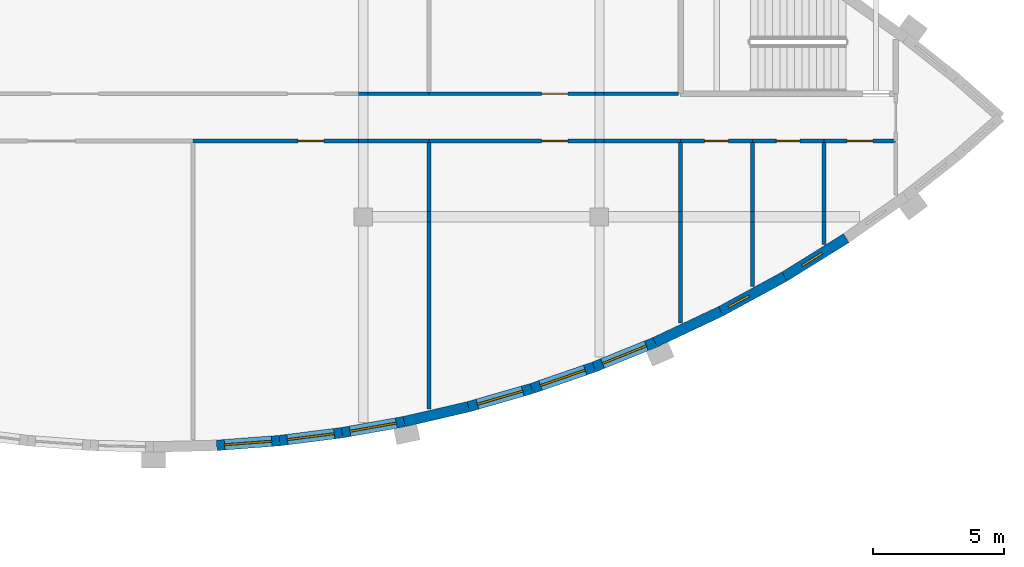
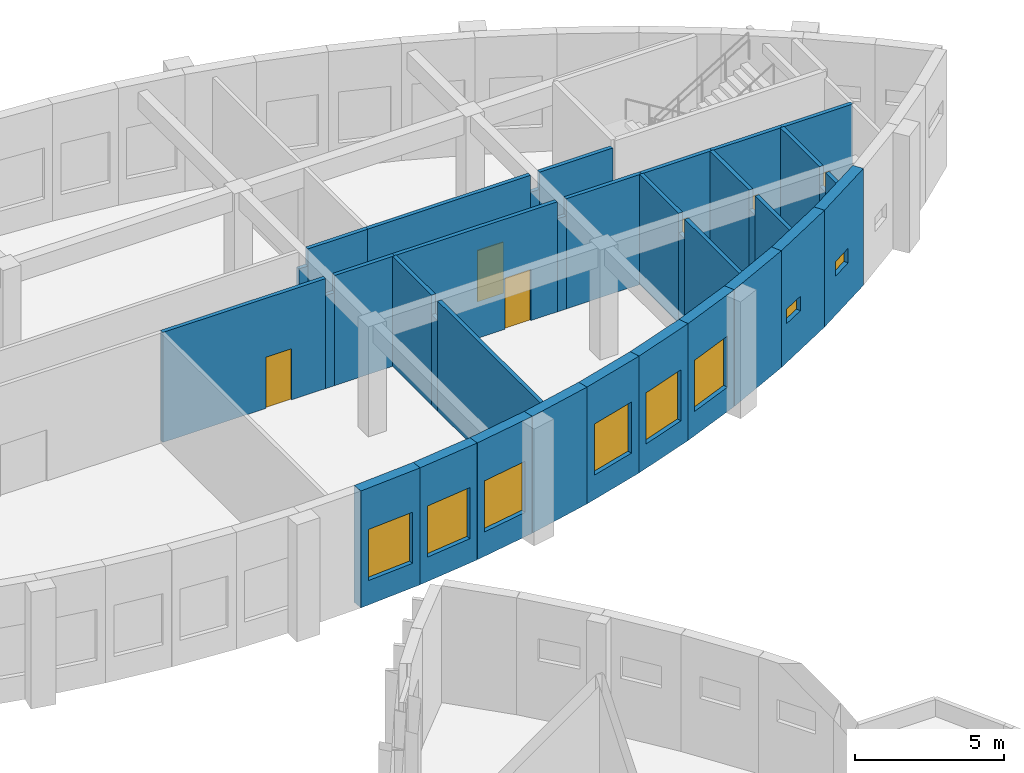
# One storey, part 75 of 93: 36 walls, 8 windows, 6 doors, 14 openings.
"""IFC4 building model written with IfcOpenShell, lengths in metres."""

from ifc_helpers import new_model, si_unit, direction, frame, frame_2d, origin, place, context, subcontext, project, spatial, rectangle, extrude, material, layer, layer_set, type_object, element, fill, save


model = new_model("IFC4")

# Units and contexts
model_context = context("Model", 3, precision=1e-05, world=origin(), true_north=direction((0.0, 1.0)))
body_context = subcontext(model_context, "Body", "Model", "MODEL_VIEW")
ifc_project = project(units=[si_unit("LENGTHUNIT", "METRE"), si_unit("AREAUNIT", "SQUARE_METRE"), si_unit("VOLUMEUNIT", "CUBIC_METRE"), si_unit("PLANEANGLEUNIT", "RADIAN"), si_unit("MASSUNIT", "GRAM", prefix="KILO")], contexts=[model_context])

# Site, building, storey
site_placement = place(None, origin())
site = spatial("IfcSite", under=ifc_project, at=site_placement, CompositionType="ELEMENT")
building_placement = place(site_placement, origin())
building = spatial("IfcBuilding", under=site, at=building_placement, Name="Tide Square Theatres", CompositionType="ELEMENT")
storey_placement = place(building_placement, frame((0.0, 0.0, 5.39990234375)))
storey = spatial("IfcBuildingStorey", under=building, at=storey_placement, Name="L01", CompositionType="ELEMENT", Elevation=5.39990234375)

# Walls
ifc_material_1 = material(Name="Gypsum board on steel studs", Category="steel")
ifc_layer_1 = layer(ifc_material_1, 0.14990234375)
ifc_layer_set_1 = layer_set([ifc_layer_1], Name="Gypsum board on steel studs")
wall_type_1 = type_object("IfcWallType", Name="Partition 150 thick", PredefinedType="PARTITIONING", material=ifc_layer_set_1)
wall_1_placement = place(storey_placement, frame((137.824951171875, 98.699951171875, 0.0), z_axis=(0.0, 0.0, 1.0), x_axis=(1.0, 0.0, 0.0)))
element("IfcWall", 1, at=wall_1_placement, inside=storey, type_object=wall_type_1, Name="Rehearsal Block partition", PredefinedType="PARTITIONING", context=body_context, shape_type="SweptSolid", body=[
    extrude(rectangle(XDim=0.35009765625, YDim=0.14990234375, at=frame_2d((0.175048828125, 0.0))), origin(), (0.0, 0.0, 1.0), 3.820068359375),
])
for number, where, z_axis, x_axis, name in (
    (2, (138.175048828125, 98.699951171875, 0.0), (0.0, 0.0, 1.0), (1.0, 0.0, 0.0), "Rehearsal Block partition"),
    (3, (140.5, 96.89990234375, 0.0), (0.0, 0.0, 1.0), (-1.0, 0.0, 0.0), "Rehearsal Block partition"),
):
    element("IfcWall", number, at=place(storey_placement, frame(where, z_axis=z_axis, x_axis=x_axis)), inside=storey, type_object=wall_type_1, Name=name, PredefinedType="PARTITIONING", context=body_context, shape_type="SweptSolid", body=[
        extrude(rectangle(XDim=2.324951171875, YDim=0.14990234375, at=frame_2d((1.16259765625, 0.0))), origin(), (0.0, 0.0, 1.0), 4.52001953125),
    ])
wall_2_placement = place(storey_placement, frame((138.175048828125, 96.89990234375, 0.0), z_axis=(0.0, 0.0, 1.0), x_axis=(-1.0, 0.0, 0.0)))
element("IfcWall", 4, at=wall_2_placement, inside=storey, type_object=wall_type_1, Name="Rehearsal Block partition", PredefinedType="PARTITIONING", context=body_context, shape_type="SweptSolid", body=[
    extrude(rectangle(XDim=0.35009765625, YDim=0.14990234375, at=frame_2d((0.175048828125, 0.0))), origin(), (0.0, 0.0, 1.0), 3.820068359375),
])

# Wall, opening, door
wall_3_placement = place(storey_placement, frame((137.824951171875, 96.89990234375, 0.0), z_axis=(0.0, 0.0, 1.0), x_axis=(-1.0, 0.0, 0.0)))
wall_3 = element("IfcWall", 5, at=wall_3_placement, inside=storey, type_object=wall_type_1, Name="Rehearsal Block partition", PredefinedType="PARTITIONING", context=body_context, shape_type="SweptSolid", body=[
    extrude(rectangle(XDim=6.324951171875, YDim=0.14990234375, at=frame_2d((3.16259765625, 0.0))), origin(), (0.0, 0.0, 1.0), 4.52001953125),
])
opening_1_placement = place(wall_3_placement, frame((1.324951171875, 0.0, 0.0)))
opening_1 = element("IfcOpeningElement", 6, at=opening_1_placement, cuts=wall_3, Name="Opening R1-11", PredefinedType="OPENING", context=body_context, shape_type="SweptSolid", body=[
    extrude(rectangle(XDim=1.0, YDim=2.10009765625, at=frame_2d((0.5, 1.050048828125))), frame((0.0, 0.0849609375, 0.0), z_axis=(0.0, -1.0, 0.0), x_axis=(1.0, 0.0, 0.0)), (0.0, 0.0, 1.0), 0.169921875),
])
ifc_material_2 = material(Name="Hardwood timber", Category="wood")
door_type_1 = type_object("IfcDoorType", Name="Door 1000 x 2100 single leaf", OperationType="NOTDEFINED", PredefinedType="DOOR", material=ifc_material_2)
door_1_placement = place(opening_1_placement, origin())
door_1 = element("IfcDoor", 7, at=door_1_placement, inside=storey, type_object=door_type_1, Name="Rehearsal Block door R1-11 to Music Room 01", OperationType="SINGLE_SWING_RIGHT", OverallHeight=2.10009765625, OverallWidth=1.0, PredefinedType="DOOR", context=body_context, shape_type="SweptSolid", body=[
    extrude(rectangle(XDim=1.0, YDim=2.10009765625, at=frame_2d((0.5, 1.050048828125))), frame((0.0, 0.02490234375, 0.0), z_axis=(0.0, -1.0, 0.0), x_axis=(1.0, 0.0, 0.0)), (0.0, 0.0, 1.0), 0.050048828125),
])
fill(opening_1, door_1)

# Walls
wall_4_placement = place(storey_placement, frame((140.5, 96.840087890625, 0.0), z_axis=(0.0, 0.0, 1.0), x_axis=(0.0, -1.0, 0.0)))
element("IfcWall", 8, at=wall_4_placement, inside=storey, type_object=wall_type_1, Name="Rehearsal Block partition", PredefinedType="PARTITIONING", context=body_context, shape_type="SweptSolid", body=[
    extrude(rectangle(XDim=2.64013671875, YDim=0.14990234375, at=frame_2d((1.320068359375, 0.0))), origin(), (0.0, 0.0, 1.0), 4.52001953125),
])
wall_5_placement = place(storey_placement, frame((140.5, 94.199951171875, 0.0), z_axis=(0.0, 0.0, 1.0), x_axis=(0.0, -1.0, 0.0)))
element("IfcWall", 9, at=wall_5_placement, inside=storey, type_object=wall_type_1, Name="Rehearsal Block partition", PredefinedType="PARTITIONING", context=body_context, shape_type="SweptSolid", body=[
    extrude(rectangle(XDim=0.39990234375, YDim=0.14990234375, at=frame_2d((0.199951171875, 0.0))), origin(), (0.0, 0.0, 1.0), 3.72021484375),
])
wall_6_placement = place(storey_placement, frame((140.5, 93.800048828125, 0.0), z_axis=(0.0, 0.0, 1.0), x_axis=(0.0, -1.0, 0.0)))
element("IfcWall", 10, at=wall_6_placement, inside=storey, type_object=wall_type_1, Name="Rehearsal Block partition", PredefinedType="PARTITIONING", context=body_context, shape_type="SweptSolid", body=[
    extrude(rectangle(XDim=7.128662109375, YDim=0.14990234375, at=frame_2d((3.564453125, 0.0))), origin(), (0.0, 0.0, 1.0), 4.52001953125),
])
wall_7_placement = place(storey_placement, frame((150.10009765625, 96.89990234375, 0.0), z_axis=(0.0, 0.0, 1.0), x_axis=(-1.0, 0.0, 0.0)))
element("IfcWall", 11, at=wall_7_placement, inside=storey, type_object=wall_type_1, Name="Rehearsal Block partition", PredefinedType="PARTITIONING", context=body_context, shape_type="SweptSolid", body=[
    extrude(rectangle(XDim=2.925048828125, YDim=0.14990234375, at=frame_2d((1.46240234375, 0.0))), origin(), (0.0, 0.0, 1.0), 4.52001953125),
])
wall_8_placement = place(storey_placement, frame((147.175048828125, 96.89990234375, 0.0), z_axis=(0.0, 0.0, 1.0), x_axis=(-1.0, 0.0, 0.0)))
element("IfcWall", 12, at=wall_8_placement, inside=storey, type_object=wall_type_1, Name="Rehearsal Block partition", PredefinedType="PARTITIONING", context=body_context, shape_type="SweptSolid", body=[
    extrude(rectangle(XDim=0.35009765625, YDim=0.14990234375, at=frame_2d((0.175048828125, 0.0))), origin(), (0.0, 0.0, 1.0), 3.820068359375),
])

# Wall, opening, door
wall_9_placement = place(storey_placement, frame((146.824951171875, 96.89990234375, 0.0), z_axis=(0.0, 0.0, 1.0), x_axis=(-1.0, 0.0, 0.0)))
wall_9 = element("IfcWall", 13, at=wall_9_placement, inside=storey, type_object=wall_type_1, Name="Rehearsal Block partition", PredefinedType="PARTITIONING", context=body_context, shape_type="SweptSolid", body=[
    extrude(rectangle(XDim=6.324951171875, YDim=0.14990234375, at=frame_2d((3.16259765625, 0.0))), origin(), (0.0, 0.0, 1.0), 4.52001953125),
])
opening_2_placement = place(wall_9_placement, frame((1.02490234375, 0.0, 0.0)))
opening_2 = element("IfcOpeningElement", 14, at=opening_2_placement, cuts=wall_9, Name="Opening R1-12", PredefinedType="OPENING", context=body_context, shape_type="SweptSolid", body=[
    extrude(rectangle(XDim=1.0, YDim=2.10009765625, at=frame_2d((0.5, 1.050048828125))), frame((0.0, 0.0849609375, 0.0), z_axis=(0.0, -1.0, 0.0), x_axis=(1.0, 0.0, 0.0)), (0.0, 0.0, 1.0), 0.169921875),
])
door_2_placement = place(opening_2_placement, origin())
door_2 = element("IfcDoor", 15, at=door_2_placement, inside=storey, type_object=door_type_1, Name="Rehearsal Block door R1-12 to Music Room 02", OperationType="SINGLE_SWING_RIGHT", OverallHeight=2.10009765625, OverallWidth=1.0, PredefinedType="DOOR", context=body_context, shape_type="SweptSolid", body=[
    extrude(rectangle(XDim=1.0, YDim=2.10009765625, at=frame_2d((0.5, 1.050048828125))), frame((0.0, 0.02490234375, 0.0), z_axis=(0.0, -1.0, 0.0), x_axis=(1.0, 0.0, 0.0)), (0.0, 0.0, 1.0), 0.050048828125),
])
fill(opening_2, door_2)

wall_10_placement = place(storey_placement, frame((140.5, 98.699951171875, 0.0), z_axis=(0.0, 0.0, 1.0), x_axis=(1.0, 0.0, 0.0)))
wall_10 = element("IfcWall", 16, at=wall_10_placement, inside=storey, type_object=wall_type_1, Name="Rehearsal Block partition", PredefinedType="PARTITIONING", context=body_context, shape_type="SweptSolid", body=[
    extrude(rectangle(XDim=6.324951171875, YDim=0.14990234375, at=frame_2d((3.16259765625, 0.0))), origin(), (0.0, 0.0, 1.0), 4.52001953125),
])
opening_3_placement = place(wall_10_placement, frame((4.300048828125, 0.0, 0.0)))
opening_3 = element("IfcOpeningElement", 17, at=opening_3_placement, cuts=wall_10, Name="Opening R1-16", PredefinedType="OPENING", context=body_context, shape_type="SweptSolid", body=[
    extrude(rectangle(XDim=1.0, YDim=2.10009765625, at=frame_2d((0.5, 1.050048828125))), frame((0.0, 0.0849609375, 0.0), z_axis=(0.0, -1.0, 0.0), x_axis=(1.0, 0.0, 0.0)), (0.0, 0.0, 1.0), 0.169921875),
])
door_3_placement = place(opening_3_placement, origin())
door_3 = element("IfcDoor", 18, at=door_3_placement, inside=storey, type_object=door_type_1, Name="Rehearsal Block door R1-16 to Rehearsal Room 03", OperationType="SINGLE_SWING_RIGHT", OverallHeight=2.10009765625, OverallWidth=1.0, PredefinedType="DOOR", context=body_context, shape_type="SweptSolid", body=[
    extrude(rectangle(XDim=1.0, YDim=2.10009765625, at=frame_2d((0.5, 1.050048828125))), frame((0.0, 0.02490234375, 0.0), z_axis=(0.0, -1.0, 0.0), x_axis=(1.0, 0.0, 0.0)), (0.0, 0.0, 1.0), 0.050048828125),
])
fill(opening_3, door_3)

# Walls
wall_11_placement = place(storey_placement, frame((146.824951171875, 98.699951171875, 0.0), z_axis=(0.0, 0.0, 1.0), x_axis=(1.0, 0.0, 0.0)))
element("IfcWall", 19, at=wall_11_placement, inside=storey, type_object=wall_type_1, Name="Rehearsal Block partition", PredefinedType="PARTITIONING", context=body_context, shape_type="SweptSolid", body=[
    extrude(rectangle(XDim=0.35009765625, YDim=0.14990234375, at=frame_2d((0.175048828125, 0.0))), origin(), (0.0, 0.0, 1.0), 3.820068359375),
])
wall_12_placement = place(storey_placement, frame((147.175048828125, 98.699951171875, 0.0), z_axis=(0.0, 0.0, 1.0), x_axis=(1.0, 0.0, 0.0)))
element("IfcWall", 20, at=wall_12_placement, inside=storey, type_object=wall_type_1, Name="Rehearsal Block partition", PredefinedType="PARTITIONING", context=body_context, shape_type="SweptSolid", body=[
    extrude(rectangle(XDim=2.844970703125, YDim=0.14990234375, at=frame_2d((1.42236328125, 0.0))), origin(), (0.0, 0.0, 1.0), 4.52001953125),
])
wall_13_placement = place(storey_placement, frame((150.10009765625, 89.960205078125, 0.0), z_axis=(0.0, 0.0, 1.0), x_axis=(0.0, 1.0, 0.0)))
element("IfcWall", 21, at=wall_13_placement, inside=storey, type_object=wall_type_1, Name="Rehearsal Block partition", PredefinedType="PARTITIONING", context=body_context, shape_type="SweptSolid", body=[
    extrude(rectangle(XDim=3.83984375, YDim=0.14990234375, at=frame_2d((1.919921875, 0.0))), origin(), (0.0, 0.0, 1.0), 4.52001953125),
])
wall_14_placement = place(storey_placement, frame((150.10009765625, 93.800048828125, 0.0), z_axis=(0.0, 0.0, 1.0), x_axis=(0.0, 1.0, 0.0)))
element("IfcWall", 22, at=wall_14_placement, inside=storey, type_object=wall_type_1, Name="Rehearsal Block partition", PredefinedType="PARTITIONING", context=body_context, shape_type="SweptSolid", body=[
    extrude(rectangle(XDim=0.39990234375, YDim=0.14990234375, at=frame_2d((0.199951171875, 0.0))), origin(), (0.0, 0.0, 1.0), 3.72021484375),
])
wall_15_placement = place(storey_placement, frame((150.10009765625, 94.199951171875, 0.0), z_axis=(0.0, 0.0, 1.0), x_axis=(0.0, 1.0, 0.0)))
element("IfcWall", 23, at=wall_15_placement, inside=storey, type_object=wall_type_1, Name="Rehearsal Block partition", PredefinedType="PARTITIONING", context=body_context, shape_type="SweptSolid", body=[
    extrude(rectangle(XDim=2.64013671875, YDim=0.14990234375, at=frame_2d((1.320068359375, 0.0))), origin(), (0.0, 0.0, 1.0), 4.52001953125),
])

# Wall, opening, door
wall_16_placement = place(storey_placement, frame((152.833251953125, 96.89990234375, 0.0), z_axis=(0.0, 0.0, 1.0), x_axis=(-1.0, 0.0, 0.0)))
wall_16 = element("IfcWall", 24, at=wall_16_placement, inside=storey, type_object=wall_type_1, Name="Rehearsal Block partition", PredefinedType="PARTITIONING", context=body_context, shape_type="SweptSolid", body=[
    extrude(rectangle(XDim=2.733154296875, YDim=0.14990234375, at=frame_2d((1.36669921875, 0.0))), origin(), (0.0, 0.0, 1.0), 4.52001953125),
])
opening_4_placement = place(wall_16_placement, frame((0.916748046875, 0.0, 0.0)))
opening_4 = element("IfcOpeningElement", 25, at=opening_4_placement, cuts=wall_16, Name="Opening R1-04", PredefinedType="OPENING", context=body_context, shape_type="SweptSolid", body=[
    extrude(rectangle(XDim=0.89990234375, YDim=2.10009765625, at=frame_2d((0.449951171875, 1.050048828125))), frame((0.0, 0.0849609375, 0.0), z_axis=(0.0, -1.0, 0.0), x_axis=(1.0, 0.0, 0.0)), (0.0, 0.0, 1.0), 0.169921875),
])
ifc_material_3 = material(Name="Hardwood timber", Category="wood")
door_type_2 = type_object("IfcDoorType", Name="Door 900 x 2100 single leaf", OperationType="NOTDEFINED", PredefinedType="DOOR", material=ifc_material_3)
door_4_placement = place(opening_4_placement, origin())
door_4 = element("IfcDoor", 26, at=door_4_placement, inside=storey, type_object=door_type_2, Name="Rehearsal Block door R1-04 to Gents WC E", OperationType="SINGLE_SWING_RIGHT", OverallHeight=2.10009765625, OverallWidth=0.89990234375, PredefinedType="DOOR", context=body_context, shape_type="SweptSolid", body=[
    extrude(rectangle(XDim=0.89990234375, YDim=2.10009765625, at=frame_2d((0.449951171875, 1.050048828125))), frame((0.0, 0.02490234375, 0.0), z_axis=(0.0, -1.0, 0.0), x_axis=(1.0, 0.0, 0.0)), (0.0, 0.0, 1.0), 0.050048828125),
])
fill(opening_4, door_4)

# Walls
wall_17_placement = place(storey_placement, frame((152.833251953125, 96.840087890625, 0.0), z_axis=(0.0, 0.0, 1.0), x_axis=(0.0, -1.0, 0.0)))
element("IfcWall", 27, at=wall_17_placement, inside=storey, type_object=wall_type_1, Name="Rehearsal Block partition", PredefinedType="PARTITIONING", context=body_context, shape_type="SweptSolid", body=[
    extrude(rectangle(XDim=2.64013671875, YDim=0.14990234375, at=frame_2d((1.320068359375, 0.0))), origin(), (0.0, 0.0, 1.0), 4.52001953125),
])
wall_18_placement = place(storey_placement, frame((152.833251953125, 94.199951171875, 0.0), z_axis=(0.0, 0.0, 1.0), x_axis=(0.0, -1.0, 0.0)))
element("IfcWall", 28, at=wall_18_placement, inside=storey, type_object=wall_type_1, Name="Rehearsal Block partition", PredefinedType="PARTITIONING", context=body_context, shape_type="SweptSolid", body=[
    extrude(rectangle(XDim=0.39990234375, YDim=0.14990234375, at=frame_2d((0.199951171875, 0.0))), origin(), (0.0, 0.0, 1.0), 3.72021484375),
])
wall_19_placement = place(storey_placement, frame((152.833251953125, 93.800048828125, 0.0), z_axis=(0.0, 0.0, 1.0), x_axis=(0.0, -1.0, 0.0)))
element("IfcWall", 29, at=wall_19_placement, inside=storey, type_object=wall_type_1, Name="Rehearsal Block partition", PredefinedType="PARTITIONING", context=body_context, shape_type="SweptSolid", body=[
    extrude(rectangle(XDim=2.455078125, YDim=0.14990234375, at=frame_2d((1.2275390625, 0.0))), origin(), (0.0, 0.0, 1.0), 4.52001953125),
])

# Wall, opening, door
wall_20_placement = place(storey_placement, frame((155.566650390625, 96.89990234375, 0.0), z_axis=(0.0, 0.0, 1.0), x_axis=(-1.0, 0.0, 0.0)))
wall_20 = element("IfcWall", 30, at=wall_20_placement, inside=storey, type_object=wall_type_1, Name="Rehearsal Block partition", PredefinedType="PARTITIONING", context=body_context, shape_type="SweptSolid", body=[
    extrude(rectangle(XDim=2.7333984375, YDim=0.14990234375, at=frame_2d((1.36669921875, 0.0))), origin(), (0.0, 0.0, 1.0), 4.52001953125),
])
opening_5_placement = place(wall_20_placement, frame((0.916748046875, 0.0, 0.0)))
opening_5 = element("IfcOpeningElement", 31, at=opening_5_placement, cuts=wall_20, Name="Opening R1-05", PredefinedType="OPENING", context=body_context, shape_type="SweptSolid", body=[
    extrude(rectangle(XDim=0.89990234375, YDim=2.10009765625, at=frame_2d((0.449951171875, 1.050048828125))), frame((0.0, 0.0849609375, 0.0), z_axis=(0.0, -1.0, 0.0), x_axis=(1.0, 0.0, 0.0)), (0.0, 0.0, 1.0), 0.169921875),
])
door_5_placement = place(opening_5_placement, origin())
door_5 = element("IfcDoor", 32, at=door_5_placement, inside=storey, type_object=door_type_2, Name="Rehearsal Block door R1-05 to Ladies WC E", OperationType="SINGLE_SWING_RIGHT", OverallHeight=2.10009765625, OverallWidth=0.89990234375, PredefinedType="DOOR", context=body_context, shape_type="SweptSolid", body=[
    extrude(rectangle(XDim=0.89990234375, YDim=2.10009765625, at=frame_2d((0.449951171875, 1.050048828125))), frame((0.0, 0.02490234375, 0.0), z_axis=(0.0, -1.0, 0.0), x_axis=(1.0, 0.0, 0.0)), (0.0, 0.0, 1.0), 0.050048828125),
])
fill(opening_5, door_5)

# Walls
wall_21_placement = place(storey_placement, frame((155.566650390625, 96.840087890625, 0.0), z_axis=(0.0, 0.0, 1.0), x_axis=(0.0, -1.0, 0.0)))
element("IfcWall", 33, at=wall_21_placement, inside=storey, type_object=wall_type_1, Name="Rehearsal Block partition", PredefinedType="PARTITIONING", context=body_context, shape_type="SweptSolid", body=[
    extrude(rectangle(XDim=2.64013671875, YDim=0.14990234375, at=frame_2d((1.320068359375, 0.0))), origin(), (0.0, 0.0, 1.0), 4.52001953125),
])
wall_22_placement = place(storey_placement, frame((155.566650390625, 94.199951171875, 0.0), z_axis=(0.0, 0.0, 1.0), x_axis=(0.0, -1.0, 0.0)))
element("IfcWall", 34, at=wall_22_placement, inside=storey, type_object=wall_type_1, Name="Rehearsal Block partition", PredefinedType="PARTITIONING", context=body_context, shape_type="SweptSolid", body=[
    extrude(rectangle(XDim=0.39990234375, YDim=0.14990234375, at=frame_2d((0.199951171875, 0.0))), origin(), (0.0, 0.0, 1.0), 3.72021484375),
])
wall_23_placement = place(storey_placement, frame((155.566650390625, 93.800048828125, 0.0), z_axis=(0.0, 0.0, 1.0), x_axis=(0.0, -1.0, 0.0)))
element("IfcWall", 35, at=wall_23_placement, inside=storey, type_object=wall_type_1, Name="Rehearsal Block partition", PredefinedType="PARTITIONING", context=body_context, shape_type="SweptSolid", body=[
    extrude(rectangle(XDim=0.84033203125, YDim=0.14990234375, at=frame_2d((0.420166015625, 0.0))), origin(), (0.0, 0.0, 1.0), 4.52001953125),
])

# Wall, opening, door
wall_24_placement = place(storey_placement, frame((158.300048828125, 96.89990234375, 0.0), z_axis=(0.0, 0.0, 1.0), x_axis=(-1.0, 0.0, 0.0)))
wall_24 = element("IfcWall", 36, at=wall_24_placement, inside=storey, type_object=wall_type_1, Name="Rehearsal Block partition", PredefinedType="PARTITIONING", context=body_context, shape_type="SweptSolid", body=[
    extrude(rectangle(XDim=2.7333984375, YDim=0.14990234375, at=frame_2d((1.36669921875, 0.0))), origin(), (0.0, 0.0, 1.0), 4.52001953125),
])
opening_6_placement = place(wall_24_placement, frame((0.86669921875, 0.0, 0.0)))
opening_6 = element("IfcOpeningElement", 37, at=opening_6_placement, cuts=wall_24, Name="Opening R1-06", PredefinedType="OPENING", context=body_context, shape_type="SweptSolid", body=[
    extrude(rectangle(XDim=1.0, YDim=2.10009765625, at=frame_2d((0.5, 1.050048828125))), frame((0.0, 0.0849609375, 0.0), z_axis=(0.0, -1.0, 0.0), x_axis=(1.0, 0.0, 0.0)), (0.0, 0.0, 1.0), 0.169921875),
])
door_6_placement = place(opening_6_placement, origin())
door_6 = element("IfcDoor", 38, at=door_6_placement, inside=storey, type_object=door_type_1, Name="Rehearsal Block door R1-06 to Accessible WC E", OperationType="SINGLE_SWING_RIGHT", OverallHeight=2.10009765625, OverallWidth=1.0, PredefinedType="DOOR", context=body_context, shape_type="SweptSolid", body=[
    extrude(rectangle(XDim=1.0, YDim=2.10009765625, at=frame_2d((0.5, 1.050048828125))), frame((0.0, 0.02490234375, 0.0), z_axis=(0.0, -1.0, 0.0), x_axis=(1.0, 0.0, 0.0)), (0.0, 0.0, 1.0), 0.050048828125),
])
fill(opening_6, door_6)

# Wall, opening, window
ifc_material_4 = material(Name="Concrete C40", Category="concrete")
ifc_layer_2 = layer(ifc_material_4, 0.39990234375)
ifc_layer_set_2 = layer_set([ifc_layer_2], Name="Concrete C40")
wall_type_2 = type_object("IfcWallType", Name="RC curved wall 400 thick", PredefinedType="SOLIDWALL", material=ifc_layer_set_2)
wall_25_placement = place(storey_placement, frame((132.4052734375, 85.291748046875, 0.0), z_axis=(0.0, 0.0, 1.0), x_axis=(0.997146276918, 0.075493724435, 0.0)))
wall_25 = element("IfcWall", 39, at=wall_25_placement, inside=storey, type_object=wall_type_2, Name="Rehearsal Block perimeter wall 015", PredefinedType="SOLIDWALL", context=body_context, shape_type="SweptSolid", body=[
    extrude(rectangle(XDim=2.406005859375, YDim=0.39990234375, at=frame_2d((1.203125, 0.0))), origin(), (0.0, 0.0, 1.0), 4.800048828125),
])
opening_7_placement = place(wall_25_placement, frame((0.302978515625, 0.0, 1.0)))
opening_7 = element("IfcOpeningElement", 40, at=opening_7_placement, cuts=wall_25, Name="Opening WN-14", PredefinedType="OPENING", context=body_context, shape_type="SweptSolid", body=[
    extrude(rectangle(XDim=1.800048828125, YDim=2.10009765625, at=frame_2d((0.89990234375, 1.050048828125))), frame((0.0, 0.2099609375, 0.0), z_axis=(0.0, -1.0, 0.0), x_axis=(1.0, 0.0, 0.0)), (0.0, 0.0, 1.0), 0.419921875),
])
ifc_material_5 = material(Name="Aluminium with laminated glass", Category="aluminium")
window_type_1 = type_object("IfcWindowType", Name="Window 1800 x 2100", PartitioningType="DOUBLE_PANEL_VERTICAL", PredefinedType="WINDOW", material=ifc_material_5)
window_1_placement = place(opening_7_placement, origin())
window_1 = element("IfcWindow", 41, at=window_1_placement, inside=storey, type_object=window_type_1, Name="Rehearsal Block window L01-57", OverallHeight=2.10009765625, OverallWidth=1.800048828125, PartitioningType="SINGLE_PANEL", PredefinedType="WINDOW", context=body_context, shape_type="SweptSolid", body=[
    extrude(rectangle(XDim=1.800048828125, YDim=2.10009765625, at=frame_2d((0.89990234375, 1.050048828125))), frame((0.0, 0.030029296875, 0.0), z_axis=(0.0, -1.0, 0.0), x_axis=(1.0, 0.0, 0.0)), (0.0, 0.0, 1.0), 0.06005859375),
])
fill(opening_7, window_1)

wall_26_placement = place(storey_placement, frame((134.804443359375, 85.473388671875, 0.0), z_axis=(0.0, 0.0, 1.0), x_axis=(0.99208939311, 0.125533406227, 0.0)))
wall_26 = element("IfcWall", 42, at=wall_26_placement, inside=storey, type_object=wall_type_2, Name="Rehearsal Block perimeter wall 016", PredefinedType="SOLIDWALL", context=body_context, shape_type="SweptSolid", body=[
    extrude(rectangle(XDim=2.40576171875, YDim=0.39990234375, at=frame_2d((1.202880859375, 0.0))), origin(), (0.0, 0.0, 1.0), 4.800048828125),
])
opening_8_placement = place(wall_26_placement, frame((0.302978515625, 0.0, 1.0)))
opening_8 = element("IfcOpeningElement", 43, at=opening_8_placement, cuts=wall_26, Name="Opening WN-14", PredefinedType="OPENING", context=body_context, shape_type="SweptSolid", body=[
    extrude(rectangle(XDim=1.800048828125, YDim=2.10009765625, at=frame_2d((0.89990234375, 1.050048828125))), frame((0.0, 0.2099609375, 0.0), z_axis=(0.0, -1.0, 0.0), x_axis=(1.0, 0.0, 0.0)), (0.0, 0.0, 1.0), 0.419921875),
])
window_2_placement = place(opening_8_placement, origin())
window_2 = element("IfcWindow", 44, at=window_2_placement, inside=storey, type_object=window_type_1, Name="Rehearsal Block window L01-58", OverallHeight=2.10009765625, OverallWidth=1.800048828125, PartitioningType="SINGLE_PANEL", PredefinedType="WINDOW", context=body_context, shape_type="SweptSolid", body=[
    extrude(rectangle(XDim=1.800048828125, YDim=2.10009765625, at=frame_2d((0.89990234375, 1.050048828125))), frame((0.0, 0.030029296875, 0.0), z_axis=(0.0, -1.0, 0.0), x_axis=(1.0, 0.0, 0.0)), (0.0, 0.0, 1.0), 0.06005859375),
])
fill(opening_8, window_2)

wall_27_placement = place(storey_placement, frame((137.191162109375, 85.775390625, 0.0), z_axis=(0.0, 0.0, 1.0), x_axis=(0.984524011381, 0.175249738987, 0.0)))
wall_27 = element("IfcWall", 45, at=wall_27_placement, inside=storey, type_object=wall_type_2, Name="Rehearsal Block perimeter wall 017", PredefinedType="SOLIDWALL", context=body_context, shape_type="SweptSolid", body=[
    extrude(rectangle(XDim=2.406005859375, YDim=0.39990234375, at=frame_2d((1.203125, 0.0))), origin(), (0.0, 0.0, 1.0), 4.800048828125),
])
opening_9_placement = place(wall_27_placement, frame((0.302978515625, 0.0, 1.0)))
opening_9 = element("IfcOpeningElement", 46, at=opening_9_placement, cuts=wall_27, Name="Opening WN-14", PredefinedType="OPENING", context=body_context, shape_type="SweptSolid", body=[
    extrude(rectangle(XDim=1.800048828125, YDim=2.10009765625, at=frame_2d((0.89990234375, 1.050048828125))), frame((0.0, 0.2099609375, 0.0), z_axis=(0.0, -1.0, 0.0), x_axis=(1.0, 0.0, 0.0)), (0.0, 0.0, 1.0), 0.419921875),
])
window_3_placement = place(opening_9_placement, origin())
window_3 = element("IfcWindow", 47, at=window_3_placement, inside=storey, type_object=window_type_1, Name="Rehearsal Block window L01-59", OverallHeight=2.10009765625, OverallWidth=1.800048828125, PartitioningType="SINGLE_PANEL", PredefinedType="WINDOW", context=body_context, shape_type="SweptSolid", body=[
    extrude(rectangle(XDim=1.800048828125, YDim=2.10009765625, at=frame_2d((0.89990234375, 1.050048828125))), frame((0.0, 0.030029296875, 0.0), z_axis=(0.0, -1.0, 0.0), x_axis=(1.0, 0.0, 0.0)), (0.0, 0.0, 1.0), 0.06005859375),
])
fill(opening_9, window_3)

# Wall
wall_28_placement = place(storey_placement, frame((139.559814453125, 86.197021484375, 0.0), z_axis=(0.0, 0.0, 1.0), x_axis=(0.974210649093, 0.225640446716, 0.0)))
element("IfcWall", 48, at=wall_28_placement, inside=storey, type_object=wall_type_2, Name="Rehearsal Block perimeter wall 018", PredefinedType="SOLIDWALL", context=body_context, shape_type="SweptSolid", body=[
    extrude(rectangle(XDim=2.51123046875, YDim=0.39990234375, at=frame_2d((1.255615234375, 0.0))), origin(), (0.0, 0.0, 1.0), 4.800048828125),
])

# Wall, opening, window
wall_29_placement = place(storey_placement, frame((142.00634765625, 86.763671875, 0.0), z_axis=(0.0, 0.0, 1.0), x_axis=(0.961008605775, 0.276518461637, 0.0)))
wall_29 = element("IfcWall", 49, at=wall_29_placement, inside=storey, type_object=wall_type_2, Name="Rehearsal Block perimeter wall 019", PredefinedType="SOLIDWALL", context=body_context, shape_type="SweptSolid", body=[
    extrude(rectangle(XDim=2.510986328125, YDim=0.39990234375, at=frame_2d((1.25537109375, 0.0))), origin(), (0.0, 0.0, 1.0), 4.800048828125),
])
opening_10_placement = place(wall_29_placement, frame((0.35546875, 0.0, 1.0)))
opening_10 = element("IfcOpeningElement", 50, at=opening_10_placement, cuts=wall_29, Name="Opening WN-14", PredefinedType="OPENING", context=body_context, shape_type="SweptSolid", body=[
    extrude(rectangle(XDim=1.800048828125, YDim=2.10009765625, at=frame_2d((0.89990234375, 1.050048828125))), frame((0.0, 0.2099609375, 0.0), z_axis=(0.0, -1.0, 0.0), x_axis=(1.0, 0.0, 0.0)), (0.0, 0.0, 1.0), 0.419921875),
])
window_4_placement = place(opening_10_placement, origin())
window_4 = element("IfcWindow", 51, at=window_4_placement, inside=storey, type_object=window_type_1, Name="Rehearsal Block window L01-60", OverallHeight=2.10009765625, OverallWidth=1.800048828125, PartitioningType="SINGLE_PANEL", PredefinedType="WINDOW", context=body_context, shape_type="SweptSolid", body=[
    extrude(rectangle(XDim=1.800048828125, YDim=2.10009765625, at=frame_2d((0.89990234375, 1.050048828125))), frame((0.0, 0.030029296875, 0.0), z_axis=(0.0, -1.0, 0.0), x_axis=(1.0, 0.0, 0.0)), (0.0, 0.0, 1.0), 0.06005859375),
])
fill(opening_10, window_4)

wall_30_placement = place(storey_placement, frame((144.41943359375, 87.4580078125, 0.0), z_axis=(0.0, 0.0, 1.0), x_axis=(0.94514546406, 0.326649738659, 0.0)))
wall_30 = element("IfcWall", 52, at=wall_30_placement, inside=storey, type_object=wall_type_2, Name="Rehearsal Block perimeter wall 020", PredefinedType="SOLIDWALL", context=body_context, shape_type="SweptSolid", body=[
    extrude(rectangle(XDim=2.51123046875, YDim=0.39990234375, at=frame_2d((1.255615234375, 0.0))), origin(), (0.0, 0.0, 1.0), 4.800048828125),
])
opening_11_placement = place(wall_30_placement, frame((0.35546875, 0.0, 1.0)))
opening_11 = element("IfcOpeningElement", 53, at=opening_11_placement, cuts=wall_30, Name="Opening WN-14", PredefinedType="OPENING", context=body_context, shape_type="SweptSolid", body=[
    extrude(rectangle(XDim=1.800048828125, YDim=2.10009765625, at=frame_2d((0.89990234375, 1.050048828125))), frame((0.0, 0.2099609375, 0.0), z_axis=(0.0, -1.0, 0.0), x_axis=(1.0, 0.0, 0.0)), (0.0, 0.0, 1.0), 0.419921875),
])
window_5_placement = place(opening_11_placement, origin())
window_5 = element("IfcWindow", 54, at=window_5_placement, inside=storey, type_object=window_type_1, Name="Rehearsal Block window L01-61", OverallHeight=2.10009765625, OverallWidth=1.800048828125, PartitioningType="SINGLE_PANEL", PredefinedType="WINDOW", context=body_context, shape_type="SweptSolid", body=[
    extrude(rectangle(XDim=1.800048828125, YDim=2.10009765625, at=frame_2d((0.89990234375, 1.050048828125))), frame((0.0, 0.030029296875, 0.0), z_axis=(0.0, -1.0, 0.0), x_axis=(1.0, 0.0, 0.0)), (0.0, 0.0, 1.0), 0.06005859375),
])
fill(opening_11, window_5)

wall_31_placement = place(storey_placement, frame((146.79296875, 88.2783203125, 0.0), z_axis=(0.0, 0.0, 1.0), x_axis=(0.926722795862, 0.375745738007, 0.0)))
wall_31 = element("IfcWall", 55, at=wall_31_placement, inside=storey, type_object=wall_type_2, Name="Rehearsal Block perimeter wall 021", PredefinedType="SOLIDWALL", context=body_context, shape_type="SweptSolid", body=[
    extrude(rectangle(XDim=2.5107421875, YDim=0.39990234375, at=frame_2d((1.25537109375, 0.0))), origin(), (0.0, 0.0, 1.0), 4.800048828125),
])
opening_12_placement = place(wall_31_placement, frame((0.35546875, 0.0, 1.0)))
opening_12 = element("IfcOpeningElement", 56, at=opening_12_placement, cuts=wall_31, Name="Opening WN-14", PredefinedType="OPENING", context=body_context, shape_type="SweptSolid", body=[
    extrude(rectangle(XDim=1.800048828125, YDim=2.10009765625, at=frame_2d((0.89990234375, 1.050048828125))), frame((0.0, 0.2099609375, 0.0), z_axis=(0.0, -1.0, 0.0), x_axis=(1.0, 0.0, 0.0)), (0.0, 0.0, 1.0), 0.419921875),
])
window_6_placement = place(opening_12_placement, origin())
window_6 = element("IfcWindow", 57, at=window_6_placement, inside=storey, type_object=window_type_1, Name="Rehearsal Block window L01-62", OverallHeight=2.10009765625, OverallWidth=1.800048828125, PartitioningType="SINGLE_PANEL", PredefinedType="WINDOW", context=body_context, shape_type="SweptSolid", body=[
    extrude(rectangle(XDim=1.800048828125, YDim=2.10009765625, at=frame_2d((0.89990234375, 1.050048828125))), frame((0.0, 0.030029296875, 0.0), z_axis=(0.0, -1.0, 0.0), x_axis=(1.0, 0.0, 0.0)), (0.0, 0.0, 1.0), 0.06005859375),
])
fill(opening_12, window_6)

# Wall
wall_32_placement = place(storey_placement, frame((149.11962890625, 89.2216796875, 0.0), z_axis=(0.0, 0.0, 1.0), x_axis=(0.904527098751, 0.42641614372, 0.0)))
element("IfcWall", 58, at=wall_32_placement, inside=storey, type_object=wall_type_2, Name="Rehearsal Block perimeter wall 022", PredefinedType="SOLIDWALL", context=body_context, shape_type="SweptSolid", body=[
    extrude(rectangle(XDim=2.772216796875, YDim=0.39990234375, at=frame_2d((1.38623046875, 0.0))), origin(), (0.0, 0.0, 1.0), 4.800048828125),
])

# Wall, opening, window
wall_33_placement = place(storey_placement, frame((151.627197265625, 90.40380859375, 0.0), z_axis=(0.0, 0.0, 1.0), x_axis=(0.878292493566, 0.478123724308, 0.0)))
wall_33 = element("IfcWall", 59, at=wall_33_placement, inside=storey, type_object=wall_type_2, Name="Rehearsal Block perimeter wall 023", PredefinedType="SOLIDWALL", context=body_context, shape_type="SweptSolid", body=[
    extrude(rectangle(XDim=2.771728515625, YDim=0.39990234375, at=frame_2d((1.3857421875, 0.0))), origin(), (0.0, 0.0, 1.0), 4.800048828125),
])
opening_13_placement = place(wall_33_placement, frame((0.3359375, 0.0, 1.60009765625)))
opening_13 = element("IfcOpeningElement", 60, at=opening_13_placement, cuts=wall_33, Name="Opening WN-12", PredefinedType="OPENING", context=body_context, shape_type="SweptSolid", body=[
    extrude(rectangle(XDim=0.89990234375, YDim=0.60009765625, at=frame_2d((0.449951171875, 0.300048828125))), frame((0.0, 0.2099609375, 0.0), z_axis=(0.0, -1.0, 0.0), x_axis=(1.0, 0.0, 0.0)), (0.0, 0.0, 1.0), 0.419921875),
])
ifc_material_6 = material(Name="Aluminium with laminated glass", Category="aluminium")
window_type_2 = type_object("IfcWindowType", Name="Window 900 x 600", PartitioningType="SINGLE_PANEL", PredefinedType="WINDOW", material=ifc_material_6)
window_7_placement = place(opening_13_placement, origin())
window_7 = element("IfcWindow", 61, at=window_7_placement, inside=storey, type_object=window_type_2, Name="Rehearsal Block window L01-63", OverallHeight=0.60009765625, OverallWidth=0.89990234375, PartitioningType="SINGLE_PANEL", PredefinedType="WINDOW", context=body_context, shape_type="SweptSolid", body=[
    extrude(rectangle(XDim=0.89990234375, YDim=0.60009765625, at=frame_2d((0.449951171875, 0.300048828125))), frame((0.0, 0.030029296875, 0.0), z_axis=(0.0, -1.0, 0.0), x_axis=(1.0, 0.0, 0.0)), (0.0, 0.0, 1.0), 0.06005859375),
])
fill(opening_13, window_7)

wall_34_placement = place(storey_placement, frame((154.0615234375, 91.72900390625, 0.0), z_axis=(0.0, 0.0, 1.0), x_axis=(0.84912946359, 0.528184772653, 0.0)))
wall_34 = element("IfcWall", 62, at=wall_34_placement, inside=storey, type_object=wall_type_2, Name="Rehearsal Block perimeter wall 024", PredefinedType="SOLIDWALL", context=body_context, shape_type="SweptSolid", body=[
    extrude(rectangle(XDim=2.77197265625, YDim=0.39990234375, at=frame_2d((1.385986328125, 0.0))), origin(), (0.0, 0.0, 1.0), 4.800048828125),
])
opening_14_placement = place(wall_34_placement, frame((0.785888671875, 0.0, 1.60009765625)))
opening_14 = element("IfcOpeningElement", 63, at=opening_14_placement, cuts=wall_34, Name="Opening WN-12", PredefinedType="OPENING", context=body_context, shape_type="SweptSolid", body=[
    extrude(rectangle(XDim=0.89990234375, YDim=0.60009765625, at=frame_2d((0.449951171875, 0.300048828125))), frame((0.0, 0.2099609375, 0.0), z_axis=(0.0, -1.0, 0.0), x_axis=(1.0, 0.0, 0.0)), (0.0, 0.0, 1.0), 0.419921875),
])
window_8_placement = place(opening_14_placement, origin())
window_8 = element("IfcWindow", 64, at=window_8_placement, inside=storey, type_object=window_type_2, Name="Rehearsal Block window L01-64", OverallHeight=0.60009765625, OverallWidth=0.89990234375, PartitioningType="SINGLE_PANEL", PredefinedType="WINDOW", context=body_context, shape_type="SweptSolid", body=[
    extrude(rectangle(XDim=0.89990234375, YDim=0.60009765625, at=frame_2d((0.449951171875, 0.300048828125))), frame((0.0, 0.030029296875, 0.0), z_axis=(0.0, -1.0, 0.0), x_axis=(1.0, 0.0, 0.0)), (0.0, 0.0, 1.0), 0.06005859375),
])
fill(opening_14, window_8)

save(model, "model.ifc")
